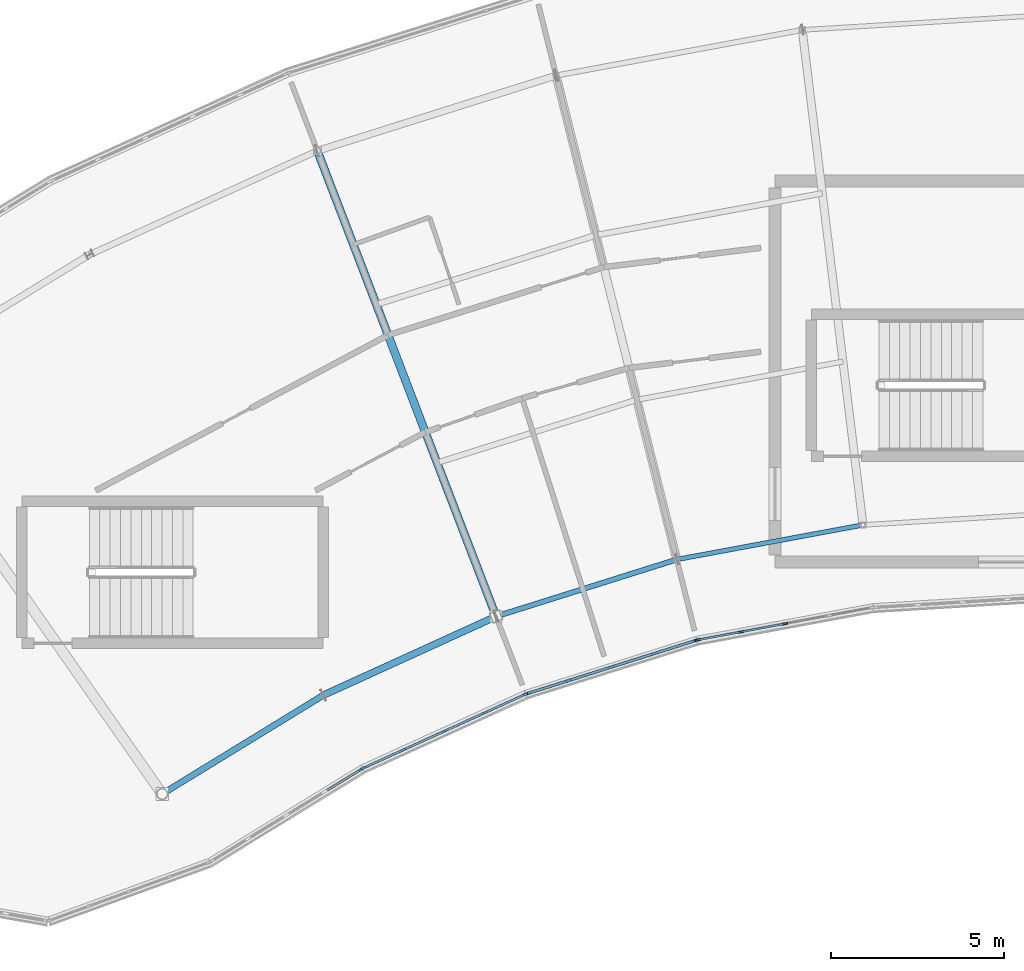
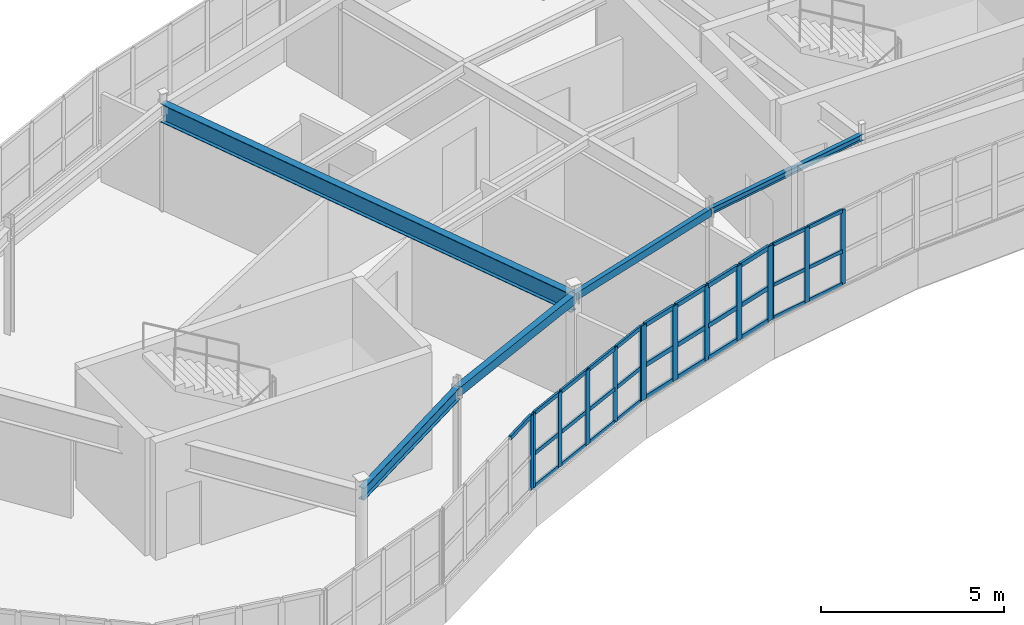
# One storey, part 34 of 79: 45 members, 5 beams, 4 elements without a shape of their own.
"""IFC4 building model written with IfcOpenShell, lengths in metres."""

from ifc_helpers import new_model, si_unit, direction, frame, origin, origin_2d, place, context, subcontext, project, spatial, rectangle, hollow_rectangle, i_section, extrude, material, layer, layer_set, material_profile, profile_set, type_object, element, aggregate, save


model = new_model("IFC4")

# Units and contexts
model_context = context("Model", 3, precision=1e-05, world=origin(), true_north=direction((0.0, 1.0)))
body_context = subcontext(model_context, "Body", "Model", "MODEL_VIEW")
ifc_project = project(units=[si_unit("LENGTHUNIT", "METRE"), si_unit("AREAUNIT", "SQUARE_METRE"), si_unit("VOLUMEUNIT", "CUBIC_METRE"), si_unit("PLANEANGLEUNIT", "RADIAN"), si_unit("MASSUNIT", "GRAM", prefix="KILO")], contexts=[model_context])

# Site, building, storey
site_placement = place(None, origin())
site = spatial("IfcSite", under=ifc_project, at=site_placement, CompositionType="ELEMENT")
building_placement = place(site_placement, origin())
building = spatial("IfcBuilding", under=site, at=building_placement, Name="Tarnwether General Hospital", CompositionType="ELEMENT")
storey_placement = place(building_placement, frame((0.0, 0.0, 18.300048828125)))
storey = spatial("IfcBuildingStorey", under=building, at=storey_placement, Name="L04", CompositionType="ELEMENT", Elevation=18.300048828125)

# Beams
ifc_material_1 = material(Name="Steel Grade 350 (350 MPa)", Category="steel")
ifc_material_profile_1 = material_profile(ifc_material_1, i_section(OverallWidth=0.22900390625, OverallDepth=0.612060546875, WebThickness=0.011962890625, FlangeThickness=0.01953125, at=origin_2d()), Name="610UB125")
ifc_profile_set_1 = profile_set([ifc_material_profile_1], Name="Steel Grade 350 (350 MPa)")
beam_type_1 = type_object("IfcBeamType", Name="BM-G03", PredefinedType="BEAM", material=ifc_profile_set_1)
beam_1_placement = place(storey_placement, frame((70.784912109375, 118.26806640625, 3.25390625), z_axis=(0.358334838026, -0.933593136145, 0.0), x_axis=(0.933593136145, 0.358334838026, 0.0)))
element("IfcBeam", 1, at=beam_1_placement, inside=storey, type_object=beam_type_1, Name="Curved Ward NW Radial Girder BMG-L04-7078_11827-7594_10482-1950", PredefinedType="BEAM", context=body_context, shape_type="SweptSolid", body=[
    extrude(i_section(OverallWidth=0.22900390625, OverallDepth=0.612060546875, WebThickness=0.011962890625, FlangeThickness=0.01953125, at=origin_2d()), origin(), (0.0, 0.0, 1.0), 14.400390625),
])
ifc_material_2 = material(Name="Steel Grade 350 (350 MPa)", Category="steel")
ifc_material_profile_2 = material_profile(ifc_material_2, i_section(OverallWidth=0.177978515625, OverallDepth=0.403076171875, WebThickness=0.007568359375, FlangeThickness=0.010986328125, at=origin_2d()), Name="410UB53.7")
ifc_profile_set_2 = profile_set([ifc_material_profile_2], Name="Steel Grade 350 (350 MPa)")
beam_type_2 = type_object("IfcBeamType", Name="BM-SP2", PredefinedType="SPANDREL", material=ifc_profile_set_2)
beam_2_placement = place(storey_placement, frame((66.303955078125, 99.697998046875, 3.3583984375), z_axis=(0.85265897909, 0.522467860617, 0.0), x_axis=(-0.522467860617, 0.85265897909, 0.0)))
element("IfcBeam", 2, at=beam_2_placement, inside=storey, type_object=beam_type_2, Name="Curved Ward NW Inner Spandrel BMG-L04-6630_9970-7097_10256-1956", PredefinedType="SPANDREL", context=body_context, shape_type="SweptSolid", body=[
    extrude(i_section(OverallWidth=0.177978515625, OverallDepth=0.403076171875, WebThickness=0.007568359375, FlangeThickness=0.010986328125, at=origin_2d()), origin(), (0.0, 0.0, 1.0), 5.469970703125),
])
ifc_material_3 = material(Name="Steel Grade C350L0 (350 MPa)", Category="steel")
ifc_material_profile_3 = material_profile(ifc_material_3, hollow_rectangle(XDim=0.199951171875, YDim=0.300048828125, WallThickness=0.012451171875, at=origin_2d()), Name="RHS300x200x12.5")
ifc_profile_set_3 = profile_set([ifc_material_profile_3], Name="Steel Grade C350L0 (350 MPa)")
beam_type_3 = type_object("IfcBeamType", Name="BM-SP3", PredefinedType="SPANDREL", material=ifc_profile_set_3)
beam_3_placement = place(storey_placement, frame((70.968017578125, 102.555908203125, 3.409912109375), z_axis=(0.909968605358, 0.414677148228, 0.0), x_axis=(-0.414677148228, 0.909968605358, 0.0)))
element("IfcBeam", 3, at=beam_3_placement, inside=storey, type_object=beam_type_3, Name="Curved Ward NW Inner Spandrel BMG-L04-7097_10256-7594_10482-1958", PredefinedType="SPANDREL", context=body_context, shape_type="SweptSolid", body=[
    extrude(hollow_rectangle(XDim=0.199951171875, YDim=0.300048828125, WallThickness=0.012451171875, at=origin_2d()), origin(), (0.0, 0.0, 1.0), 5.469482421875),
])
ifc_material_4 = material(Name="Steel Grade C350L0 (350 MPa)", Category="steel")
ifc_material_profile_4 = material_profile(ifc_material_4, hollow_rectangle(XDim=0.14990234375, YDim=0.25, WallThickness=0.010009765625, at=origin_2d()), Name="RHS250x150x10")
ifc_profile_set_4 = profile_set([ifc_material_profile_4], Name="Steel Grade C350L0 (350 MPa)")
beam_type_4 = type_object("IfcBeamType", Name="BM-SP4", PredefinedType="SPANDREL", material=ifc_profile_set_4)
beam_4_placement = place(storey_placement, frame((75.945068359375, 104.823974609375, 3.43505859375), z_axis=(0.953712084488, 0.300721232874, 0.0), x_axis=(-0.300721232874, 0.953712084488, 0.0)))
element("IfcBeam", 4, at=beam_4_placement, inside=storey, type_object=beam_type_4, Name="Curved Ward NW Inner Spandrel BMG-L04-7594_10482-8116_10647-1960", PredefinedType="SPANDREL", context=body_context, shape_type="SweptSolid", body=[
    extrude(hollow_rectangle(XDim=0.14990234375, YDim=0.25, WallThickness=0.010009765625, at=origin_2d()), origin(), (0.0, 0.0, 1.0), 5.47021484375),
])
ifc_material_5 = material(Name="Steel Grade 350 (350 MPa)", Category="steel")
ifc_material_profile_5 = material_profile(ifc_material_5, i_section(OverallWidth=0.133056640625, OverallDepth=0.202880859375, WebThickness=0.005859375, FlangeThickness=0.0078125, at=origin_2d()), Name="200UB25.4")
ifc_profile_set_5 = profile_set([ifc_material_profile_5], Name="Steel Grade 350 (350 MPa)")
beam_type_5 = type_object("IfcBeamType", Name="BM-SP5", PredefinedType="SPANDREL", material=ifc_profile_set_5)
beam_5_placement = place(storey_placement, frame((81.162109375, 106.468994140625, 3.45849609375), z_axis=(0.983244096291, 0.18229384825, 0.0), x_axis=(-0.18229384825, 0.983244096291, 0.0)))
element("IfcBeam", 5, at=beam_5_placement, inside=storey, type_object=beam_type_5, Name="Curved Ward NW Inner Spandrel BMG-L04-8116_10647-8654_10747-1964", PredefinedType="SPANDREL", context=body_context, shape_type="SweptSolid", body=[
    extrude(i_section(OverallWidth=0.133056640625, OverallDepth=0.202880859375, WebThickness=0.005859375, FlangeThickness=0.0078125, at=origin_2d()), origin(), (0.0, 0.0, 1.0), 5.469482421875),
])

# Curtain wall, members
ifc_material_6 = material(Name="Anodised aluminium", Category="aluminium")
ifc_layer = layer(ifc_material_6, 0.159912109375)
ifc_layer_set = layer_set([ifc_layer], Name="Anodised aluminium")
curtain_wall_type = type_object("IfcCurtainWallType", Name="CW-04", PredefinedType="NOTDEFINED", material=ifc_layer_set)
curtain_wall_1_placement = place(storey_placement, origin())
curtain_wall_1 = element("IfcCurtainWall", 6, at=curtain_wall_1_placement, inside=storey, type_object=curtain_wall_type, Name="Curtain Wall CWG-L04-868_1051-0041", PredefinedType="NOTDEFINED")
ifc_material_7 = material(Name="Anodised aluminium", Category="aluminium")
ifc_material_profile_6 = material_profile(ifc_material_7, rectangle(XDim=0.06005859375, YDim=0.159912109375, at=origin_2d()), Name="ALU-MUL-60x160")
ifc_profile_set_6 = profile_set([ifc_material_profile_6], Name="Anodised aluminium")
member_type_1 = type_object("IfcMemberType", Name="CW-ML1", PredefinedType="MULLION", material=ifc_profile_set_6)
member_1_placement = place(storey_placement, frame((84.2880859375, 104.612548828125, 1.050048828125), z_axis=(0.0, 0.0, 1.0), x_axis=(0.182165351666, -0.983267910924, 0.0)))
member_1 = element("IfcMember", 7, at=member_1_placement, type_object=member_type_1, Name="CW-04 mullion 3", PredefinedType="MULLION", context=body_context, shape_type="SweptSolid", body=[
    extrude(rectangle(XDim=0.06005859375, YDim=0.159912109375, at=origin_2d()), origin(), (0.0, 0.0, 1.0), 2.489990234375),
])
member_2_placement = place(storey_placement, frame((83.015380859375, 104.376708984375, 1.050048828125), z_axis=(0.0, 0.0, 1.0), x_axis=(0.182165351666, -0.983267910924, 0.0)))
member_2 = element("IfcMember", 8, at=member_2_placement, type_object=member_type_1, Name="CW-04 mullion 4", PredefinedType="MULLION", context=body_context, shape_type="SweptSolid", body=[
    extrude(rectangle(XDim=0.06005859375, YDim=0.159912109375, at=origin_2d()), origin(), (0.0, 0.0, 1.0), 2.489990234375),
])
member_3_placement = place(storey_placement, frame((81.7724609375, 104.146484375, 1.050048828125), z_axis=(0.0, 0.0, 1.0), x_axis=(0.182165351666, -0.983267910924, 0.0)))
member_3 = element("IfcMember", 9, at=member_3_placement, type_object=member_type_1, Name="CW-04 mullion 5", PredefinedType="MULLION", context=body_context, shape_type="SweptSolid", body=[
    extrude(rectangle(XDim=0.06005859375, YDim=0.159912109375, at=origin_2d()), origin(), (0.0, 0.0, 1.0), 2.489990234375),
])

# Curtain wall, member
curtain_wall_2_placement = place(storey_placement, origin())
curtain_wall_2 = element("IfcCurtainWall", 10, at=curtain_wall_2_placement, inside=storey, type_object=curtain_wall_type, Name="Curtain Wall CWG-L04-721_1004-0038", PredefinedType="NOTDEFINED")
ifc_material_8 = material(Name="Anodised aluminium", Category="aluminium")
ifc_material_profile_7 = material_profile(ifc_material_8, rectangle(XDim=0.070068359375, YDim=0.179931640625, at=origin_2d()), Name="ALU-MUL-70x180")
ifc_profile_set_7 = profile_set([ifc_material_profile_7], Name="Anodised aluminium")
member_type_2 = type_object("IfcMemberType", Name="CW-ML2", PredefinedType="MULLION", material=ifc_profile_set_7)
member_4_placement = place(storey_placement, frame((72.064208984375, 100.418701171875, 1.050048828125), z_axis=(0.0, 0.0, 1.0), x_axis=(0.522512231483, -0.852631789198, 0.0)))
member_4 = element("IfcMember", 11, at=member_4_placement, type_object=member_type_2, Name="CW-04 mullion 1", PredefinedType="MULLION", context=body_context, shape_type="SweptSolid", body=[
    extrude(rectangle(XDim=0.070068359375, YDim=0.179931640625, at=origin_2d()), origin(), (0.0, 0.0, 1.0), 2.489990234375),
])

# Curtain wall, members
curtain_wall_3_placement = place(storey_placement, origin())
curtain_wall_3 = element("IfcCurtainWall", 12, at=curtain_wall_3_placement, inside=storey, type_object=curtain_wall_type, Name="Curtain Wall CWG-L04-768_1026-0039", PredefinedType="NOTDEFINED")
ifc_material_9 = material(Name="Anodised aluminium", Category="aluminium")
ifc_material_profile_8 = material_profile(ifc_material_9, rectangle(XDim=0.06494140625, YDim=0.169921875, at=origin_2d()), Name="ALU-MUL-65x170")
ifc_profile_set_8 = profile_set([ifc_material_profile_8], Name="Anodised aluminium")
member_type_3 = type_object("IfcMemberType", Name="CW-ML3", PredefinedType="MULLION", material=ifc_profile_set_8)
member_5_placement = place(storey_placement, frame((76.775390625, 102.570556640625, 1.050048828125), z_axis=(0.0, 0.0, 1.0), x_axis=(0.41470501572, -0.90995590549, 0.0)))
member_5 = element("IfcMember", 13, at=member_5_placement, type_object=member_type_3, Name="CW-04 mullion 1", PredefinedType="MULLION", context=body_context, shape_type="SweptSolid", body=[
    extrude(rectangle(XDim=0.06494140625, YDim=0.169921875, at=origin_2d()), origin(), (0.0, 0.0, 1.0), 2.489990234375),
])
member_6_placement = place(storey_placement, frame((75.627197265625, 102.04736328125, 1.050048828125), z_axis=(0.0, 0.0, 1.0), x_axis=(0.41470501572, -0.90995590549, 0.0)))
member_6 = element("IfcMember", 14, at=member_6_placement, type_object=member_type_3, Name="CW-04 mullion 2", PredefinedType="MULLION", context=body_context, shape_type="SweptSolid", body=[
    extrude(rectangle(XDim=0.06494140625, YDim=0.169921875, at=origin_2d()), origin(), (0.0, 0.0, 1.0), 2.489990234375),
])
member_7_placement = place(storey_placement, frame((74.449462890625, 101.510498046875, 1.050048828125), z_axis=(0.0, 0.0, 1.0), x_axis=(0.41470501572, -0.90995590549, 0.0)))
member_7 = element("IfcMember", 15, at=member_7_placement, type_object=member_type_3, Name="CW-04 mullion 3", PredefinedType="MULLION", context=body_context, shape_type="SweptSolid", body=[
    extrude(rectangle(XDim=0.06494140625, YDim=0.169921875, at=origin_2d()), origin(), (0.0, 0.0, 1.0), 2.489990234375),
])
member_8_placement = place(storey_placement, frame((73.271728515625, 100.9736328125, 1.050048828125), z_axis=(0.0, 0.0, 1.0), x_axis=(0.41470501572, -0.90995590549, 0.0)))
member_8 = element("IfcMember", 16, at=member_8_placement, type_object=member_type_3, Name="CW-04 mullion 4", PredefinedType="MULLION", context=body_context, shape_type="SweptSolid", body=[
    extrude(rectangle(XDim=0.06494140625, YDim=0.169921875, at=origin_2d()), origin(), (0.0, 0.0, 1.0), 2.489990234375),
])
member_9_placement = place(storey_placement, frame((72.12353515625, 100.450439453125, 1.050048828125), z_axis=(0.0, 0.0, 1.0), x_axis=(0.41470501572, -0.90995590549, 0.0)))
member_9 = element("IfcMember", 17, at=member_9_placement, type_object=member_type_3, Name="CW-04 mullion 5", PredefinedType="MULLION", context=body_context, shape_type="SweptSolid", body=[
    extrude(rectangle(XDim=0.06494140625, YDim=0.169921875, at=origin_2d()), origin(), (0.0, 0.0, 1.0), 2.489990234375),
])

curtain_wall_4_placement = place(storey_placement, origin())
curtain_wall_4 = element("IfcCurtainWall", 18, at=curtain_wall_4_placement, inside=storey, type_object=curtain_wall_type, Name="Curtain Wall CWG-L04-817_1041-0040", PredefinedType="NOTDEFINED")
ifc_material_10 = material(Name="Anodised aluminium", Category="aluminium")
ifc_material_profile_9 = material_profile(ifc_material_10, rectangle(XDim=0.080078125, YDim=0.199951171875, at=origin_2d()), Name="ALU-MUL-80x200")
ifc_profile_set_9 = profile_set([ifc_material_profile_9], Name="Anodised aluminium")
member_type_4 = type_object("IfcMemberType", Name="CW-ML4", PredefinedType="MULLION", material=ifc_profile_set_9)
member_10_placement = place(storey_placement, frame((81.704833984375, 104.12890625, 1.050048828125), z_axis=(0.0, 0.0, 1.0), x_axis=(0.30071538783, -0.953713927508, 0.0)))
member_10 = element("IfcMember", 19, at=member_10_placement, type_object=member_type_4, Name="CW-04 mullion 1", PredefinedType="MULLION", context=body_context, shape_type="SweptSolid", body=[
    extrude(rectangle(XDim=0.080078125, YDim=0.199951171875, at=origin_2d()), origin(), (0.0, 0.0, 1.0), 2.489990234375),
])
member_11_placement = place(storey_placement, frame((80.508544921875, 103.751708984375, 1.050048828125), z_axis=(0.0, 0.0, 1.0), x_axis=(0.30071538783, -0.953713927508, 0.0)))
member_11 = element("IfcMember", 20, at=member_11_placement, type_object=member_type_4, Name="CW-04 mullion 2", PredefinedType="MULLION", context=body_context, shape_type="SweptSolid", body=[
    extrude(rectangle(XDim=0.080078125, YDim=0.199951171875, at=origin_2d()), origin(), (0.0, 0.0, 1.0), 2.489990234375),
])
member_12_placement = place(storey_placement, frame((79.27392578125, 103.362548828125, 1.050048828125), z_axis=(0.0, 0.0, 1.0), x_axis=(0.30071538783, -0.953713927508, 0.0)))
member_12 = element("IfcMember", 21, at=member_12_placement, type_object=member_type_4, Name="CW-04 mullion 3", PredefinedType="MULLION", context=body_context, shape_type="SweptSolid", body=[
    extrude(rectangle(XDim=0.080078125, YDim=0.199951171875, at=origin_2d()), origin(), (0.0, 0.0, 1.0), 2.489990234375),
])
member_13_placement = place(storey_placement, frame((78.03955078125, 102.97314453125, 1.050048828125), z_axis=(0.0, 0.0, 1.0), x_axis=(0.30071538783, -0.953713927508, 0.0)))
member_13 = element("IfcMember", 22, at=member_13_placement, type_object=member_type_4, Name="CW-04 mullion 4", PredefinedType="MULLION", context=body_context, shape_type="SweptSolid", body=[
    extrude(rectangle(XDim=0.080078125, YDim=0.199951171875, at=origin_2d()), origin(), (0.0, 0.0, 1.0), 2.489990234375),
])
member_14_placement = place(storey_placement, frame((76.84326171875, 102.595947265625, 1.050048828125), z_axis=(0.0, 0.0, 1.0), x_axis=(0.30071538783, -0.953713927508, 0.0)))
member_14 = element("IfcMember", 23, at=member_14_placement, type_object=member_type_4, Name="CW-04 mullion 5", PredefinedType="MULLION", context=body_context, shape_type="SweptSolid", body=[
    extrude(rectangle(XDim=0.080078125, YDim=0.199951171875, at=origin_2d()), origin(), (0.0, 0.0, 1.0), 2.489990234375),
])

# Member
ifc_material_11 = material(Name="Anodised aluminium", Category="aluminium")
ifc_material_profile_10 = material_profile(ifc_material_11, rectangle(XDim=0.06005859375, YDim=0.1201171875, at=origin_2d()), Name="ALU-TRN-60x120")
ifc_profile_set_10 = profile_set([ifc_material_profile_10], Name="Anodised aluminium")
member_type_5 = type_object("IfcMemberType", Name="CW-TR1", PredefinedType="USERDEFINED", material=ifc_profile_set_10)
member_15_placement = place(storey_placement, frame((84.258544921875, 104.60693359375, 1.079833984375), z_axis=(-0.983301675068, -0.181983009669, 0.0), x_axis=(0.181983009669, -0.983301675068, 0.0)))
member_15 = element("IfcMember", 24, at=member_15_placement, type_object=member_type_5, Name="CW-04 transom 3.1", ObjectType="TRANSOM", PredefinedType="USERDEFINED", context=body_context, shape_type="SweptSolid", body=[
    extrude(rectangle(XDim=0.06005859375, YDim=0.1201171875, at=origin_2d()), origin(), (0.0, 0.0, 1.0), 1.234130859375),
])

member_16_placement = place(storey_placement, frame((84.258544921875, 104.60693359375, 2.17041015625), z_axis=(-0.983301675068, -0.181983009669, 0.0), x_axis=(0.181983009669, -0.983301675068, 0.0)))
member_16 = element("IfcMember", 25, at=member_16_placement, type_object=member_type_5, Name="CW-04 transom 3.2", ObjectType="TRANSOM", PredefinedType="USERDEFINED", context=body_context, shape_type="SweptSolid", body=[
    extrude(rectangle(XDim=0.06005859375, YDim=0.1201171875, at=origin_2d()), origin(), (0.0, 0.0, 1.0), 1.234130859375),
])

member_17_placement = place(storey_placement, frame((84.258544921875, 104.60693359375, 3.510009765625), z_axis=(-0.983301675068, -0.181983009669, 0.0), x_axis=(0.181983009669, -0.983301675068, 0.0)))
member_17 = element("IfcMember", 26, at=member_17_placement, type_object=member_type_5, Name="CW-04 transom 3.3", ObjectType="TRANSOM", PredefinedType="USERDEFINED", context=body_context, shape_type="SweptSolid", body=[
    extrude(rectangle(XDim=0.06005859375, YDim=0.1201171875, at=origin_2d()), origin(), (0.0, 0.0, 1.0), 1.234130859375),
])

member_18_placement = place(storey_placement, frame((82.986083984375, 104.371337890625, 1.079833984375), z_axis=(-0.983251070117, -0.182256229286, 0.0), x_axis=(0.182256229286, -0.983251070117, 0.0)))
member_18 = element("IfcMember", 27, at=member_18_placement, type_object=member_type_5, Name="CW-04 transom 4.1", ObjectType="TRANSOM", PredefinedType="USERDEFINED", context=body_context, shape_type="SweptSolid", body=[
    extrude(rectangle(XDim=0.06005859375, YDim=0.1201171875, at=origin_2d()), origin(), (0.0, 0.0, 1.0), 1.204345703125),
])

member_19_placement = place(storey_placement, frame((82.986083984375, 104.371337890625, 2.17041015625), z_axis=(-0.983251070117, -0.182256229286, 0.0), x_axis=(0.182256229286, -0.983251070117, 0.0)))
member_19 = element("IfcMember", 28, at=member_19_placement, type_object=member_type_5, Name="CW-04 transom 4.2", ObjectType="TRANSOM", PredefinedType="USERDEFINED", context=body_context, shape_type="SweptSolid", body=[
    extrude(rectangle(XDim=0.06005859375, YDim=0.1201171875, at=origin_2d()), origin(), (0.0, 0.0, 1.0), 1.204345703125),
])

member_20_placement = place(storey_placement, frame((82.986083984375, 104.371337890625, 3.510009765625), z_axis=(-0.983251070117, -0.182256229286, 0.0), x_axis=(0.182256229286, -0.983251070117, 0.0)))
member_20 = element("IfcMember", 29, at=member_20_placement, type_object=member_type_5, Name="CW-04 transom 4.3", ObjectType="TRANSOM", PredefinedType="USERDEFINED", context=body_context, shape_type="SweptSolid", body=[
    extrude(rectangle(XDim=0.06005859375, YDim=0.1201171875, at=origin_2d()), origin(), (0.0, 0.0, 1.0), 1.204345703125),
])

aggregate(curtain_wall_1, [member_1, member_2, member_3, member_15, member_16, member_17, member_18, member_19, member_20])

ifc_material_12 = material(Name="Anodised aluminium", Category="aluminium")
ifc_material_profile_11 = material_profile(ifc_material_12, rectangle(XDim=0.070068359375, YDim=0.139892578125, at=origin_2d()), Name="ALU-TRN-70x140")
ifc_profile_set_11 = profile_set([ifc_material_profile_11], Name="Anodised aluminium")
member_type_6 = type_object("IfcMemberType", Name="CW-TR2", PredefinedType="USERDEFINED", material=ifc_profile_set_11)
member_21_placement = place(storey_placement, frame((72.034423828125, 100.400390625, 3.5048828125), z_axis=(-0.852692694866, -0.522412833037, 0.0), x_axis=(0.522412833037, -0.852692694866, 0.0)))
member_21 = element("IfcMember", 30, at=member_21_placement, type_object=member_type_6, Name="CW-04 transom 1.3", ObjectType="TRANSOM", PredefinedType="USERDEFINED", context=body_context, shape_type="SweptSolid", body=[
    extrude(rectangle(XDim=0.070068359375, YDim=0.139892578125, at=origin_2d()), origin(), (0.0, 0.0, 1.0), 1.189453125),
])

aggregate(curtain_wall_2, [member_4, member_21])

ifc_material_13 = material(Name="Anodised aluminium", Category="aluminium")
ifc_material_profile_12 = material_profile(ifc_material_13, rectangle(XDim=0.06494140625, YDim=0.1298828125, at=origin_2d()), Name="ALU-TRN-65x130")
ifc_profile_set_12 = profile_set([ifc_material_profile_12], Name="Anodised aluminium")
member_type_7 = type_object("IfcMemberType", Name="CW-TR3", PredefinedType="USERDEFINED", material=ifc_profile_set_12)
member_22_placement = place(storey_placement, frame((76.745849609375, 102.55712890625, 1.08251953125), z_axis=(-0.909960872611, -0.41469411657, 0.0), x_axis=(0.41469411657, -0.909960872611, 0.0)))
member_22 = element("IfcMember", 31, at=member_22_placement, type_object=member_type_7, Name="CW-04 transom 1.1", ObjectType="TRANSOM", PredefinedType="USERDEFINED", context=body_context, shape_type="SweptSolid", body=[
    extrude(rectangle(XDim=0.06494140625, YDim=0.1298828125, at=origin_2d()), origin(), (0.0, 0.0, 1.0), 1.19677734375),
])

member_23_placement = place(storey_placement, frame((76.745849609375, 102.55712890625, 2.17041015625), z_axis=(-0.909960872611, -0.41469411657, 0.0), x_axis=(0.41469411657, -0.909960872611, 0.0)))
member_23 = element("IfcMember", 32, at=member_23_placement, type_object=member_type_7, Name="CW-04 transom 1.2", ObjectType="TRANSOM", PredefinedType="USERDEFINED", context=body_context, shape_type="SweptSolid", body=[
    extrude(rectangle(XDim=0.06494140625, YDim=0.1298828125, at=origin_2d()), origin(), (0.0, 0.0, 1.0), 1.19677734375),
])

member_24_placement = place(storey_placement, frame((76.745849609375, 102.55712890625, 3.507568359375), z_axis=(-0.909960872611, -0.41469411657, 0.0), x_axis=(0.41469411657, -0.909960872611, 0.0)))
member_24 = element("IfcMember", 33, at=member_24_placement, type_object=member_type_7, Name="CW-04 transom 1.3", ObjectType="TRANSOM", PredefinedType="USERDEFINED", context=body_context, shape_type="SweptSolid", body=[
    extrude(rectangle(XDim=0.06494140625, YDim=0.1298828125, at=origin_2d()), origin(), (0.0, 0.0, 1.0), 1.19677734375),
])

member_25_placement = place(storey_placement, frame((75.59765625, 102.03369140625, 1.08251953125), z_axis=(-0.909971590259, -0.414670598092, 0.0), x_axis=(0.414670598092, -0.909971590259, 0.0)))
member_25 = element("IfcMember", 34, at=member_25_placement, type_object=member_type_7, Name="CW-04 transom 2.1", ObjectType="TRANSOM", PredefinedType="USERDEFINED", context=body_context, shape_type="SweptSolid", body=[
    extrude(rectangle(XDim=0.06494140625, YDim=0.1298828125, at=origin_2d()), origin(), (0.0, 0.0, 1.0), 1.229248046875),
])

member_26_placement = place(storey_placement, frame((75.59765625, 102.03369140625, 2.17041015625), z_axis=(-0.909971590259, -0.414670598092, 0.0), x_axis=(0.414670598092, -0.909971590259, 0.0)))
member_26 = element("IfcMember", 35, at=member_26_placement, type_object=member_type_7, Name="CW-04 transom 2.2", ObjectType="TRANSOM", PredefinedType="USERDEFINED", context=body_context, shape_type="SweptSolid", body=[
    extrude(rectangle(XDim=0.06494140625, YDim=0.1298828125, at=origin_2d()), origin(), (0.0, 0.0, 1.0), 1.229248046875),
])

member_27_placement = place(storey_placement, frame((75.59765625, 102.03369140625, 3.507568359375), z_axis=(-0.909971590259, -0.414670598092, 0.0), x_axis=(0.414670598092, -0.909971590259, 0.0)))
member_27 = element("IfcMember", 36, at=member_27_placement, type_object=member_type_7, Name="CW-04 transom 2.3", ObjectType="TRANSOM", PredefinedType="USERDEFINED", context=body_context, shape_type="SweptSolid", body=[
    extrude(rectangle(XDim=0.06494140625, YDim=0.1298828125, at=origin_2d()), origin(), (0.0, 0.0, 1.0), 1.229248046875),
])

member_28_placement = place(storey_placement, frame((74.419921875, 101.4970703125, 1.08251953125), z_axis=(-0.909971590259, -0.414670598092, 0.0), x_axis=(0.414670598092, -0.909971590259, 0.0)))
member_28 = element("IfcMember", 37, at=member_28_placement, type_object=member_type_7, Name="CW-04 transom 3.1", ObjectType="TRANSOM", PredefinedType="USERDEFINED", context=body_context, shape_type="SweptSolid", body=[
    extrude(rectangle(XDim=0.06494140625, YDim=0.1298828125, at=origin_2d()), origin(), (0.0, 0.0, 1.0), 1.229248046875),
])

member_29_placement = place(storey_placement, frame((74.419921875, 101.4970703125, 2.17041015625), z_axis=(-0.909971590259, -0.414670598092, 0.0), x_axis=(0.414670598092, -0.909971590259, 0.0)))
member_29 = element("IfcMember", 38, at=member_29_placement, type_object=member_type_7, Name="CW-04 transom 3.2", ObjectType="TRANSOM", PredefinedType="USERDEFINED", context=body_context, shape_type="SweptSolid", body=[
    extrude(rectangle(XDim=0.06494140625, YDim=0.1298828125, at=origin_2d()), origin(), (0.0, 0.0, 1.0), 1.229248046875),
])

member_30_placement = place(storey_placement, frame((74.419921875, 101.4970703125, 3.507568359375), z_axis=(-0.909971590259, -0.414670598092, 0.0), x_axis=(0.414670598092, -0.909971590259, 0.0)))
member_30 = element("IfcMember", 39, at=member_30_placement, type_object=member_type_7, Name="CW-04 transom 3.3", ObjectType="TRANSOM", PredefinedType="USERDEFINED", context=body_context, shape_type="SweptSolid", body=[
    extrude(rectangle(XDim=0.06494140625, YDim=0.1298828125, at=origin_2d()), origin(), (0.0, 0.0, 1.0), 1.229248046875),
])

member_31_placement = place(storey_placement, frame((73.2421875, 100.960205078125, 1.08251953125), z_axis=(-0.909960872611, -0.41469411657, 0.0), x_axis=(0.41469411657, -0.909960872611, 0.0)))
member_31 = element("IfcMember", 40, at=member_31_placement, type_object=member_type_7, Name="CW-04 transom 4.1", ObjectType="TRANSOM", PredefinedType="USERDEFINED", context=body_context, shape_type="SweptSolid", body=[
    extrude(rectangle(XDim=0.06494140625, YDim=0.1298828125, at=origin_2d()), origin(), (0.0, 0.0, 1.0), 1.19677734375),
])

member_32_placement = place(storey_placement, frame((73.2421875, 100.960205078125, 2.17041015625), z_axis=(-0.909960872611, -0.41469411657, 0.0), x_axis=(0.41469411657, -0.909960872611, 0.0)))
member_32 = element("IfcMember", 41, at=member_32_placement, type_object=member_type_7, Name="CW-04 transom 4.2", ObjectType="TRANSOM", PredefinedType="USERDEFINED", context=body_context, shape_type="SweptSolid", body=[
    extrude(rectangle(XDim=0.06494140625, YDim=0.1298828125, at=origin_2d()), origin(), (0.0, 0.0, 1.0), 1.19677734375),
])

member_33_placement = place(storey_placement, frame((73.2421875, 100.960205078125, 3.507568359375), z_axis=(-0.909960872611, -0.41469411657, 0.0), x_axis=(0.41469411657, -0.909960872611, 0.0)))
member_33 = element("IfcMember", 42, at=member_33_placement, type_object=member_type_7, Name="CW-04 transom 4.3", ObjectType="TRANSOM", PredefinedType="USERDEFINED", context=body_context, shape_type="SweptSolid", body=[
    extrude(rectangle(XDim=0.06494140625, YDim=0.1298828125, at=origin_2d()), origin(), (0.0, 0.0, 1.0), 1.19677734375),
])

aggregate(curtain_wall_3, [member_5, member_6, member_7, member_8, member_9, member_22, member_23, member_24, member_25, member_26, member_27, member_28, member_29, member_30, member_31, member_32, member_33])

ifc_material_14 = material(Name="Anodised aluminium", Category="aluminium")
ifc_material_profile_13 = material_profile(ifc_material_14, rectangle(XDim=0.080078125, YDim=0.14990234375, at=origin_2d()), Name="ALU-TRN-80x150")
ifc_profile_set_13 = profile_set([ifc_material_profile_13], Name="Anodised aluminium")
member_type_8 = type_object("IfcMemberType", Name="CW-TR4", PredefinedType="USERDEFINED", material=ifc_profile_set_13)
member_34_placement = place(storey_placement, frame((81.666748046875, 104.116943359375, 1.08984375), z_axis=(-0.953692556259, -0.300783158001, 0.0), x_axis=(0.300783158001, -0.953692556259, 0.0)))
member_34 = element("IfcMember", 43, at=member_34_placement, type_object=member_type_8, Name="CW-04 transom 1.1", ObjectType="TRANSOM", PredefinedType="USERDEFINED", context=body_context, shape_type="SweptSolid", body=[
    extrude(rectangle(XDim=0.080078125, YDim=0.14990234375, at=origin_2d()), origin(), (0.0, 0.0, 1.0), 1.174560546875),
])

member_35_placement = place(storey_placement, frame((81.666748046875, 104.116943359375, 2.17041015625), z_axis=(-0.953692556259, -0.300783158001, 0.0), x_axis=(0.300783158001, -0.953692556259, 0.0)))
member_35 = element("IfcMember", 44, at=member_35_placement, type_object=member_type_8, Name="CW-04 transom 1.2", ObjectType="TRANSOM", PredefinedType="USERDEFINED", context=body_context, shape_type="SweptSolid", body=[
    extrude(rectangle(XDim=0.080078125, YDim=0.14990234375, at=origin_2d()), origin(), (0.0, 0.0, 1.0), 1.174560546875),
])

member_36_placement = place(storey_placement, frame((81.666748046875, 104.116943359375, 3.5), z_axis=(-0.953692556259, -0.300783158001, 0.0), x_axis=(0.300783158001, -0.953692556259, 0.0)))
member_36 = element("IfcMember", 45, at=member_36_placement, type_object=member_type_8, Name="CW-04 transom 1.3", ObjectType="TRANSOM", PredefinedType="USERDEFINED", context=body_context, shape_type="SweptSolid", body=[
    extrude(rectangle(XDim=0.080078125, YDim=0.14990234375, at=origin_2d()), origin(), (0.0, 0.0, 1.0), 1.174560546875),
])

member_37_placement = place(storey_placement, frame((80.470458984375, 103.73974609375, 1.08984375), z_axis=(-0.953704119214, -0.300746492905, 0.0), x_axis=(0.300746492905, -0.953704119214, 0.0)))
member_37 = element("IfcMember", 46, at=member_37_placement, type_object=member_type_8, Name="CW-04 transom 2.1", ObjectType="TRANSOM", PredefinedType="USERDEFINED", context=body_context, shape_type="SweptSolid", body=[
    extrude(rectangle(XDim=0.080078125, YDim=0.14990234375, at=origin_2d()), origin(), (0.0, 0.0, 1.0), 1.21435546875),
])

member_38_placement = place(storey_placement, frame((80.470458984375, 103.73974609375, 2.17041015625), z_axis=(-0.953704119214, -0.300746492905, 0.0), x_axis=(0.300746492905, -0.953704119214, 0.0)))
member_38 = element("IfcMember", 47, at=member_38_placement, type_object=member_type_8, Name="CW-04 transom 2.2", ObjectType="TRANSOM", PredefinedType="USERDEFINED", context=body_context, shape_type="SweptSolid", body=[
    extrude(rectangle(XDim=0.080078125, YDim=0.14990234375, at=origin_2d()), origin(), (0.0, 0.0, 1.0), 1.21435546875),
])

member_39_placement = place(storey_placement, frame((80.470458984375, 103.73974609375, 3.5), z_axis=(-0.953704119214, -0.300746492905, 0.0), x_axis=(0.300746492905, -0.953704119214, 0.0)))
member_39 = element("IfcMember", 48, at=member_39_placement, type_object=member_type_8, Name="CW-04 transom 2.3", ObjectType="TRANSOM", PredefinedType="USERDEFINED", context=body_context, shape_type="SweptSolid", body=[
    extrude(rectangle(XDim=0.080078125, YDim=0.14990234375, at=origin_2d()), origin(), (0.0, 0.0, 1.0), 1.21435546875),
])

member_40_placement = place(storey_placement, frame((79.23583984375, 103.3505859375, 1.08984375), z_axis=(-0.953704119214, -0.300746492905, 0.0), x_axis=(0.300746492905, -0.953704119214, 0.0)))
member_40 = element("IfcMember", 49, at=member_40_placement, type_object=member_type_8, Name="CW-04 transom 3.1", ObjectType="TRANSOM", PredefinedType="USERDEFINED", context=body_context, shape_type="SweptSolid", body=[
    extrude(rectangle(XDim=0.080078125, YDim=0.14990234375, at=origin_2d()), origin(), (0.0, 0.0, 1.0), 1.21435546875),
])

member_41_placement = place(storey_placement, frame((79.23583984375, 103.3505859375, 2.17041015625), z_axis=(-0.953704119214, -0.300746492905, 0.0), x_axis=(0.300746492905, -0.953704119214, 0.0)))
member_41 = element("IfcMember", 50, at=member_41_placement, type_object=member_type_8, Name="CW-04 transom 3.2", ObjectType="TRANSOM", PredefinedType="USERDEFINED", context=body_context, shape_type="SweptSolid", body=[
    extrude(rectangle(XDim=0.080078125, YDim=0.14990234375, at=origin_2d()), origin(), (0.0, 0.0, 1.0), 1.21435546875),
])

member_42_placement = place(storey_placement, frame((79.23583984375, 103.3505859375, 3.5), z_axis=(-0.953704119214, -0.300746492905, 0.0), x_axis=(0.300746492905, -0.953704119214, 0.0)))
member_42 = element("IfcMember", 51, at=member_42_placement, type_object=member_type_8, Name="CW-04 transom 3.3", ObjectType="TRANSOM", PredefinedType="USERDEFINED", context=body_context, shape_type="SweptSolid", body=[
    extrude(rectangle(XDim=0.080078125, YDim=0.14990234375, at=origin_2d()), origin(), (0.0, 0.0, 1.0), 1.21435546875),
])

member_43_placement = place(storey_placement, frame((78.00146484375, 102.961181640625, 1.08984375), z_axis=(-0.953752168784, -0.300594079351, 0.0), x_axis=(0.300594079351, -0.953752168784, 0.0)))
member_43 = element("IfcMember", 52, at=member_43_placement, type_object=member_type_8, Name="CW-04 transom 4.1", ObjectType="TRANSOM", PredefinedType="USERDEFINED", context=body_context, shape_type="SweptSolid", body=[
    extrude(rectangle(XDim=0.080078125, YDim=0.14990234375, at=origin_2d()), origin(), (0.0, 0.0, 1.0), 1.17431640625),
])

member_44_placement = place(storey_placement, frame((78.00146484375, 102.961181640625, 2.17041015625), z_axis=(-0.953752168784, -0.300594079351, 0.0), x_axis=(0.300594079351, -0.953752168784, 0.0)))
member_44 = element("IfcMember", 53, at=member_44_placement, type_object=member_type_8, Name="CW-04 transom 4.2", ObjectType="TRANSOM", PredefinedType="USERDEFINED", context=body_context, shape_type="SweptSolid", body=[
    extrude(rectangle(XDim=0.080078125, YDim=0.14990234375, at=origin_2d()), origin(), (0.0, 0.0, 1.0), 1.17431640625),
])

member_45_placement = place(storey_placement, frame((78.00146484375, 102.961181640625, 3.5), z_axis=(-0.953752168784, -0.300594079351, 0.0), x_axis=(0.300594079351, -0.953752168784, 0.0)))
member_45 = element("IfcMember", 54, at=member_45_placement, type_object=member_type_8, Name="CW-04 transom 4.3", ObjectType="TRANSOM", PredefinedType="USERDEFINED", context=body_context, shape_type="SweptSolid", body=[
    extrude(rectangle(XDim=0.080078125, YDim=0.14990234375, at=origin_2d()), origin(), (0.0, 0.0, 1.0), 1.17431640625),
])

aggregate(curtain_wall_4, [member_10, member_11, member_12, member_13, member_14, member_34, member_35, member_36, member_37, member_38, member_39, member_40, member_41, member_42, member_43, member_44, member_45])

save(model, "model.ifc")
